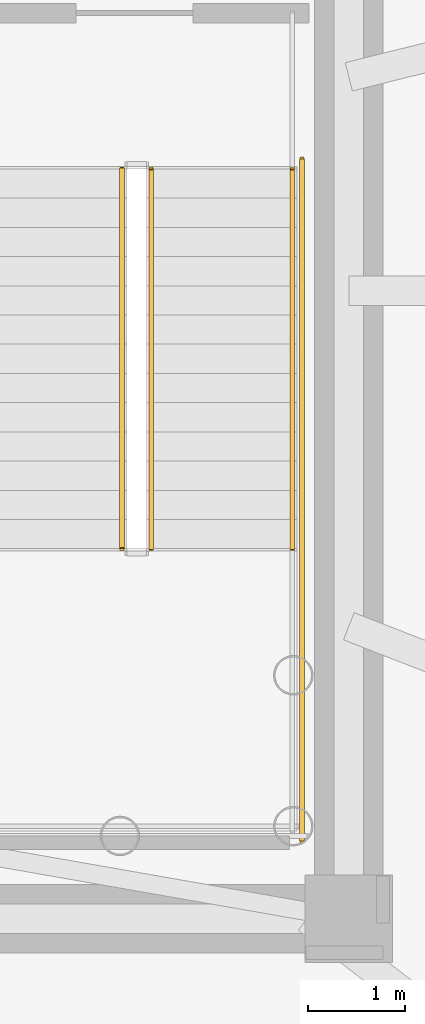
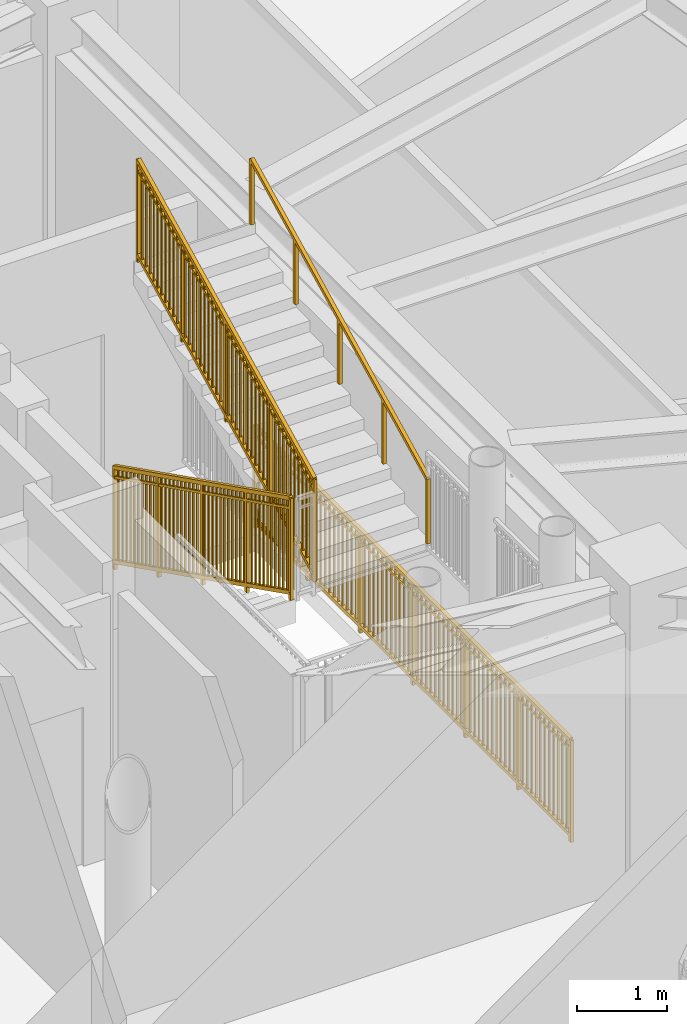
# One storey, part 21 of 24: 4 railings.
"""IFC4 building model written with IfcOpenShell, lengths in metres."""

from ifc_helpers import new_model, si_unit, direction, frame, origin, origin_2d, place, context, subcontext, project, spatial, rectangle, extrude, source, transform, mapped, material, type_object, element, save


model = new_model("IFC4")

# Units and contexts
model_context = context("Model", 3, precision=1e-05, world=origin(), true_north=direction((0.0, 1.0)))
body_context = subcontext(model_context, "Body", "Model", "MODEL_VIEW")
ifc_project = project(units=[si_unit("LENGTHUNIT", "METRE"), si_unit("AREAUNIT", "SQUARE_METRE"), si_unit("VOLUMEUNIT", "CUBIC_METRE"), si_unit("PLANEANGLEUNIT", "RADIAN"), si_unit("MASSUNIT", "GRAM", prefix="KILO")], contexts=[model_context])

# Site, building, storey
site_placement = place(None, origin())
site = spatial("IfcSite", under=ifc_project, at=site_placement, CompositionType="ELEMENT")
building_placement = place(site_placement, origin())
building = spatial("IfcBuilding", under=site, at=building_placement, Name="Linh Dai School and Residence Tower", CompositionType="ELEMENT")
storey_placement = place(building_placement, frame((0.0, 0.0, 355.199951171875)))
storey = spatial("IfcBuildingStorey", under=building, at=storey_placement, Name="L88", CompositionType="ELEMENT", Elevation=355.199951171875)

# Railings
ifc_material_1 = material(Name="Structural Steel S355JR", Category="steel")
railing_type_1 = type_object("IfcRailingType", Name="RL-ST-GUARD-1400", PredefinedType="GUARDRAIL", material=ifc_material_1)
shared_shape_1 = source(origin(), body_context, "Body", "SweptSolid", [
    extrude(rectangle(XDim=0.048095703125, YDim=0.048095703125, at=origin_2d()), frame((0.0, 0.0, 1.3759765625), z_axis=(0.0, -1.0, 0.0), x_axis=(1.0, 0.0, 0.0)), (0.0, 0.0, 1.0), 7.0),
    extrude(rectangle(XDim=0.048095703125, YDim=0.048095703125, at=origin_2d()), frame((0.0, 0.0, 0.10009765625), z_axis=(0.0, -1.0, 0.0), x_axis=(1.0, 0.0, 0.0)), (0.0, 0.0, 1.0), 7.0),
    extrude(rectangle(XDim=0.030029296875, YDim=0.030029296875, at=origin_2d()), frame((0.0, 0.0, 1.239990234375), z_axis=(0.0, -1.0, 0.0), x_axis=(1.0, 0.0, 0.0)), (0.0, 0.0, 1.0), 7.0),
    extrude(rectangle(XDim=0.02001953125, YDim=0.02001953125, at=origin_2d()), frame((0.0, -0.09716796875, 0.10009765625)), (0.0, 0.0, 1.0), 1.251708984375),
    extrude(rectangle(XDim=0.02001953125, YDim=0.02001953125, at=origin_2d()), frame((0.0, -0.1943359375, 0.10009765625)), (0.0, 0.0, 1.0), 1.251708984375),
    extrude(rectangle(XDim=0.02001953125, YDim=0.02001953125, at=origin_2d()), frame((0.0, -0.291748046875, 0.10009765625)), (0.0, 0.0, 1.0), 1.251708984375),
    extrude(rectangle(XDim=0.02001953125, YDim=0.02001953125, at=origin_2d()), frame((0.0, -0.388916015625, 0.10009765625)), (0.0, 0.0, 1.0), 1.251708984375),
    extrude(rectangle(XDim=0.02001953125, YDim=0.02001953125, at=origin_2d()), frame((0.0, -0.486083984375, 0.10009765625)), (0.0, 0.0, 1.0), 1.251708984375),
    extrude(rectangle(XDim=0.02001953125, YDim=0.02001953125, at=origin_2d()), frame((0.0, -0.583251953125, 0.10009765625)), (0.0, 0.0, 1.0), 1.251708984375),
    extrude(rectangle(XDim=0.02001953125, YDim=0.02001953125, at=origin_2d()), frame((0.0, -0.6806640625, 0.10009765625)), (0.0, 0.0, 1.0), 1.251708984375),
    extrude(rectangle(XDim=0.02001953125, YDim=0.02001953125, at=origin_2d()), frame((0.0, -0.77783203125, 0.10009765625)), (0.0, 0.0, 1.0), 1.251708984375),
    extrude(rectangle(XDim=0.02001953125, YDim=0.02001953125, at=origin_2d()), frame((0.0, -0.875, 0.10009765625)), (0.0, 0.0, 1.0), 1.251708984375),
    extrude(rectangle(XDim=0.02001953125, YDim=0.02001953125, at=origin_2d()), frame((0.0, -0.97216796875, 0.10009765625)), (0.0, 0.0, 1.0), 1.251708984375),
    extrude(rectangle(XDim=0.02001953125, YDim=0.02001953125, at=origin_2d()), frame((0.0, -1.0693359375, 0.10009765625)), (0.0, 0.0, 1.0), 1.251708984375),
    extrude(rectangle(XDim=0.02001953125, YDim=0.02001953125, at=origin_2d()), frame((0.0, -1.263916015625, 0.10009765625)), (0.0, 0.0, 1.0), 1.251708984375),
    extrude(rectangle(XDim=0.02001953125, YDim=0.02001953125, at=origin_2d()), frame((0.0, -1.361083984375, 0.10009765625)), (0.0, 0.0, 1.0), 1.251708984375),
    extrude(rectangle(XDim=0.02001953125, YDim=0.02001953125, at=origin_2d()), frame((0.0, -1.458251953125, 0.10009765625)), (0.0, 0.0, 1.0), 1.251708984375),
    extrude(rectangle(XDim=0.02001953125, YDim=0.02001953125, at=origin_2d()), frame((0.0, -1.5556640625, 0.10009765625)), (0.0, 0.0, 1.0), 1.251708984375),
    extrude(rectangle(XDim=0.02001953125, YDim=0.02001953125, at=origin_2d()), frame((0.0, -1.65283203125, 0.10009765625)), (0.0, 0.0, 1.0), 1.251708984375),
    extrude(rectangle(XDim=0.02001953125, YDim=0.02001953125, at=origin_2d()), frame((0.0, -1.75, 0.10009765625)), (0.0, 0.0, 1.0), 1.251708984375),
    extrude(rectangle(XDim=0.02001953125, YDim=0.02001953125, at=origin_2d()), frame((0.0, -1.84716796875, 0.10009765625)), (0.0, 0.0, 1.0), 1.251708984375),
    extrude(rectangle(XDim=0.02001953125, YDim=0.02001953125, at=origin_2d()), frame((0.0, -1.9443359375, 0.10009765625)), (0.0, 0.0, 1.0), 1.251708984375),
    extrude(rectangle(XDim=0.02001953125, YDim=0.02001953125, at=origin_2d()), frame((0.0, -2.041748046875, 0.10009765625)), (0.0, 0.0, 1.0), 1.251708984375),
    extrude(rectangle(XDim=0.02001953125, YDim=0.02001953125, at=origin_2d()), frame((0.0, -2.138916015625, 0.10009765625)), (0.0, 0.0, 1.0), 1.251708984375),
    extrude(rectangle(XDim=0.02001953125, YDim=0.02001953125, at=origin_2d()), frame((0.0, -2.236083984375, 0.10009765625)), (0.0, 0.0, 1.0), 1.251708984375),
    extrude(rectangle(XDim=0.02001953125, YDim=0.02001953125, at=origin_2d()), frame((0.0, -2.4306640625, 0.10009765625)), (0.0, 0.0, 1.0), 1.251708984375),
    extrude(rectangle(XDim=0.02001953125, YDim=0.02001953125, at=origin_2d()), frame((0.0, -2.52783203125, 0.10009765625)), (0.0, 0.0, 1.0), 1.251708984375),
    extrude(rectangle(XDim=0.02001953125, YDim=0.02001953125, at=origin_2d()), frame((0.0, -2.625, 0.10009765625)), (0.0, 0.0, 1.0), 1.251708984375),
    extrude(rectangle(XDim=0.02001953125, YDim=0.02001953125, at=origin_2d()), frame((0.0, -2.72216796875, 0.10009765625)), (0.0, 0.0, 1.0), 1.251708984375),
    extrude(rectangle(XDim=0.02001953125, YDim=0.02001953125, at=origin_2d()), frame((0.0, -2.8193359375, 0.10009765625)), (0.0, 0.0, 1.0), 1.251708984375),
    extrude(rectangle(XDim=0.02001953125, YDim=0.02001953125, at=origin_2d()), frame((0.0, -2.916748046875, 0.10009765625)), (0.0, 0.0, 1.0), 1.251708984375),
    extrude(rectangle(XDim=0.02001953125, YDim=0.02001953125, at=origin_2d()), frame((0.0, -3.013916015625, 0.10009765625)), (0.0, 0.0, 1.0), 1.251708984375),
    extrude(rectangle(XDim=0.02001953125, YDim=0.02001953125, at=origin_2d()), frame((0.0, -3.111083984375, 0.10009765625)), (0.0, 0.0, 1.0), 1.251708984375),
    extrude(rectangle(XDim=0.02001953125, YDim=0.02001953125, at=origin_2d()), frame((0.0, -3.208251953125, 0.10009765625)), (0.0, 0.0, 1.0), 1.251708984375),
    extrude(rectangle(XDim=0.02001953125, YDim=0.02001953125, at=origin_2d()), frame((0.0, -3.3056640625, 0.10009765625)), (0.0, 0.0, 1.0), 1.251708984375),
    extrude(rectangle(XDim=0.02001953125, YDim=0.02001953125, at=origin_2d()), frame((0.0, -3.40283203125, 0.10009765625)), (0.0, 0.0, 1.0), 1.251708984375),
    extrude(rectangle(XDim=0.02001953125, YDim=0.02001953125, at=origin_2d()), frame((0.0, -3.59716796875, 0.10009765625)), (0.0, 0.0, 1.0), 1.251708984375),
    extrude(rectangle(XDim=0.02001953125, YDim=0.02001953125, at=origin_2d()), frame((0.0, -3.6943359375, 0.10009765625)), (0.0, 0.0, 1.0), 1.251708984375),
    extrude(rectangle(XDim=0.02001953125, YDim=0.02001953125, at=origin_2d()), frame((0.0, -3.791748046875, 0.10009765625)), (0.0, 0.0, 1.0), 1.251708984375),
    extrude(rectangle(XDim=0.02001953125, YDim=0.02001953125, at=origin_2d()), frame((0.0, -3.888916015625, 0.10009765625)), (0.0, 0.0, 1.0), 1.251708984375),
    extrude(rectangle(XDim=0.02001953125, YDim=0.02001953125, at=origin_2d()), frame((0.0, -3.986083984375, 0.10009765625)), (0.0, 0.0, 1.0), 1.251708984375),
    extrude(rectangle(XDim=0.02001953125, YDim=0.02001953125, at=origin_2d()), frame((0.0, -4.083251953125, 0.10009765625)), (0.0, 0.0, 1.0), 1.251708984375),
    extrude(rectangle(XDim=0.02001953125, YDim=0.02001953125, at=origin_2d()), frame((0.0, -4.1806640625, 0.10009765625)), (0.0, 0.0, 1.0), 1.251708984375),
    extrude(rectangle(XDim=0.02001953125, YDim=0.02001953125, at=origin_2d()), frame((0.0, -4.27783203125, 0.10009765625)), (0.0, 0.0, 1.0), 1.251708984375),
    extrude(rectangle(XDim=0.02001953125, YDim=0.02001953125, at=origin_2d()), frame((0.0, -4.375, 0.10009765625)), (0.0, 0.0, 1.0), 1.251708984375),
    extrude(rectangle(XDim=0.02001953125, YDim=0.02001953125, at=origin_2d()), frame((0.0, -4.47216796875, 0.10009765625)), (0.0, 0.0, 1.0), 1.251708984375),
    extrude(rectangle(XDim=0.02001953125, YDim=0.02001953125, at=origin_2d()), frame((0.0, -4.5693359375, 0.10009765625)), (0.0, 0.0, 1.0), 1.251708984375),
    extrude(rectangle(XDim=0.02001953125, YDim=0.02001953125, at=origin_2d()), frame((0.0, -4.763916015625, 0.10009765625)), (0.0, 0.0, 1.0), 1.251708984375),
    extrude(rectangle(XDim=0.02001953125, YDim=0.02001953125, at=origin_2d()), frame((0.0, -4.861083984375, 0.10009765625)), (0.0, 0.0, 1.0), 1.251708984375),
    extrude(rectangle(XDim=0.02001953125, YDim=0.02001953125, at=origin_2d()), frame((0.0, -4.958251953125, 0.10009765625)), (0.0, 0.0, 1.0), 1.251708984375),
    extrude(rectangle(XDim=0.02001953125, YDim=0.02001953125, at=origin_2d()), frame((0.0, -5.0556640625, 0.10009765625)), (0.0, 0.0, 1.0), 1.251708984375),
    extrude(rectangle(XDim=0.02001953125, YDim=0.02001953125, at=origin_2d()), frame((0.0, -5.15283203125, 0.10009765625)), (0.0, 0.0, 1.0), 1.251708984375),
    extrude(rectangle(XDim=0.02001953125, YDim=0.02001953125, at=origin_2d()), frame((0.0, -5.25, 0.10009765625)), (0.0, 0.0, 1.0), 1.251708984375),
    extrude(rectangle(XDim=0.02001953125, YDim=0.02001953125, at=origin_2d()), frame((0.0, -5.34716796875, 0.10009765625)), (0.0, 0.0, 1.0), 1.251708984375),
    extrude(rectangle(XDim=0.02001953125, YDim=0.02001953125, at=origin_2d()), frame((0.0, -5.4443359375, 0.10009765625)), (0.0, 0.0, 1.0), 1.251708984375),
    extrude(rectangle(XDim=0.02001953125, YDim=0.02001953125, at=origin_2d()), frame((0.0, -5.541748046875, 0.10009765625)), (0.0, 0.0, 1.0), 1.251708984375),
    extrude(rectangle(XDim=0.02001953125, YDim=0.02001953125, at=origin_2d()), frame((0.0, -5.638916015625, 0.10009765625)), (0.0, 0.0, 1.0), 1.251708984375),
    extrude(rectangle(XDim=0.02001953125, YDim=0.02001953125, at=origin_2d()), frame((0.0, -5.736083984375, 0.10009765625)), (0.0, 0.0, 1.0), 1.251708984375),
    extrude(rectangle(XDim=0.02001953125, YDim=0.02001953125, at=origin_2d()), frame((0.0, -5.9306640625, 0.10009765625)), (0.0, 0.0, 1.0), 1.251708984375),
    extrude(rectangle(XDim=0.02001953125, YDim=0.02001953125, at=origin_2d()), frame((0.0, -6.02783203125, 0.10009765625)), (0.0, 0.0, 1.0), 1.251708984375),
    extrude(rectangle(XDim=0.02001953125, YDim=0.02001953125, at=origin_2d()), frame((0.0, -6.125, 0.10009765625)), (0.0, 0.0, 1.0), 1.251708984375),
    extrude(rectangle(XDim=0.02001953125, YDim=0.02001953125, at=origin_2d()), frame((0.0, -6.22216796875, 0.10009765625)), (0.0, 0.0, 1.0), 1.251708984375),
    extrude(rectangle(XDim=0.02001953125, YDim=0.02001953125, at=origin_2d()), frame((0.0, -6.3193359375, 0.10009765625)), (0.0, 0.0, 1.0), 1.251708984375),
    extrude(rectangle(XDim=0.02001953125, YDim=0.02001953125, at=origin_2d()), frame((0.0, -6.416748046875, 0.10009765625)), (0.0, 0.0, 1.0), 1.251708984375),
    extrude(rectangle(XDim=0.02001953125, YDim=0.02001953125, at=origin_2d()), frame((0.0, -6.513916015625, 0.10009765625)), (0.0, 0.0, 1.0), 1.251708984375),
    extrude(rectangle(XDim=0.02001953125, YDim=0.02001953125, at=origin_2d()), frame((0.0, -6.611083984375, 0.10009765625)), (0.0, 0.0, 1.0), 1.251708984375),
    extrude(rectangle(XDim=0.02001953125, YDim=0.02001953125, at=origin_2d()), frame((0.0, -6.708251953125, 0.10009765625)), (0.0, 0.0, 1.0), 1.251708984375),
    extrude(rectangle(XDim=0.02001953125, YDim=0.02001953125, at=origin_2d()), frame((0.0, -6.8056640625, 0.10009765625)), (0.0, 0.0, 1.0), 1.251708984375),
    extrude(rectangle(XDim=0.02001953125, YDim=0.02001953125, at=origin_2d()), frame((0.0, -6.90283203125, 0.10009765625)), (0.0, 0.0, 1.0), 1.251708984375),
    extrude(rectangle(XDim=0.0419921875, YDim=0.0419921875, at=origin_2d()), origin(), (0.0, 0.0, 1.0), 1.3759765625),
    extrude(rectangle(XDim=0.0419921875, YDim=0.0419921875, at=origin_2d()), frame((0.0, -1.166748046875, 0.0)), (0.0, 0.0, 1.0), 1.3759765625),
    extrude(rectangle(XDim=0.0419921875, YDim=0.0419921875, at=origin_2d()), frame((0.0, -2.333251953125, 0.0)), (0.0, 0.0, 1.0), 1.3759765625),
    extrude(rectangle(XDim=0.0419921875, YDim=0.0419921875, at=origin_2d()), frame((0.0, -3.5, 0.0)), (0.0, 0.0, 1.0), 1.3759765625),
    extrude(rectangle(XDim=0.0419921875, YDim=0.0419921875, at=origin_2d()), frame((0.0, -4.666748046875, 0.0)), (0.0, 0.0, 1.0), 1.3759765625),
    extrude(rectangle(XDim=0.0419921875, YDim=0.0419921875, at=origin_2d()), frame((0.0, -5.833251953125, 0.0)), (0.0, 0.0, 1.0), 1.3759765625),
    extrude(rectangle(XDim=0.0419921875, YDim=0.0419921875, at=origin_2d()), frame((0.0, -7.0, 0.0)), (0.0, 0.0, 1.0), 1.3759765625),
])
railing_1_placement = place(storey_placement, frame((44.3701171875, 28.35009765625, 0.0)))
element("IfcRailing", 1, at=railing_1_placement, inside=storey, type_object=railing_type_1, Name="L88 ST2 stair guard 11", PredefinedType="GUARDRAIL", context=body_context, shape_type="MappedRepresentation", body=[
    mapped(shared_shape_1, transform((0.0, 0.0, 0.0), x_axis=(1.0, 0.0, 0.0), y_axis=(0.0, 1.0, 0.0), z_axis=(0.0, 0.0, 1.0), scale=1.0)),
])
shared_shape_2 = source(origin(), body_context, "Body", "SweptSolid", [
    extrude(rectangle(XDim=0.048095703125, YDim=0.048095703125, at=origin_2d()), frame((0.0, 0.0, 1.3759765625), z_axis=(0.0, 0.894427191, 0.4472135955), x_axis=(-1.0, 0.0, 0.0)), (0.0, 0.0, 1.0), 4.360107421875),
    extrude(rectangle(XDim=0.048095703125, YDim=0.048095703125, at=origin_2d()), frame((0.0, 0.0, 0.10009765625), z_axis=(0.0, 0.894427191, 0.4472135955), x_axis=(-1.0, 0.0, 0.0)), (0.0, 0.0, 1.0), 4.360107421875),
    extrude(rectangle(XDim=0.030029296875, YDim=0.030029296875, at=origin_2d()), frame((0.0, 0.0, 1.239990234375), z_axis=(0.0, 0.894427191, 0.4472135955), x_axis=(-1.0, 0.0, 0.0)), (0.0, 0.0, 1.0), 4.360107421875),
    extrude(rectangle(XDim=0.02001953125, YDim=0.02001953125, at=origin_2d()), frame((0.0, 0.086669921875, 0.143310546875)), (0.0, 0.0, 1.0), 1.251708984375),
    extrude(rectangle(XDim=0.02001953125, YDim=0.02001953125, at=origin_2d()), frame((0.0, 0.17333984375, 0.186767578125)), (0.0, 0.0, 1.0), 1.251708984375),
    extrude(rectangle(XDim=0.02001953125, YDim=0.02001953125, at=origin_2d()), frame((0.0, 0.260009765625, 0.22998046875)), (0.0, 0.0, 1.0), 1.251708984375),
    extrude(rectangle(XDim=0.02001953125, YDim=0.02001953125, at=origin_2d()), frame((0.0, 0.3466796875, 0.2734375)), (0.0, 0.0, 1.0), 1.251708984375),
    extrude(rectangle(XDim=0.02001953125, YDim=0.02001953125, at=origin_2d()), frame((0.0, 0.433349609375, 0.316650390625)), (0.0, 0.0, 1.0), 1.251708984375),
    extrude(rectangle(XDim=0.02001953125, YDim=0.02001953125, at=origin_2d()), frame((0.0, 0.52001953125, 0.360107421875)), (0.0, 0.0, 1.0), 1.251708984375),
    extrude(rectangle(XDim=0.02001953125, YDim=0.02001953125, at=origin_2d()), frame((0.0, 0.606689453125, 0.4033203125)), (0.0, 0.0, 1.0), 1.251708984375),
    extrude(rectangle(XDim=0.02001953125, YDim=0.02001953125, at=origin_2d()), frame((0.0, 0.693359375, 0.44677734375)), (0.0, 0.0, 1.0), 1.251708984375),
    extrude(rectangle(XDim=0.02001953125, YDim=0.02001953125, at=origin_2d()), frame((0.0, 0.780029296875, 0.489990234375)), (0.0, 0.0, 1.0), 1.251708984375),
    extrude(rectangle(XDim=0.02001953125, YDim=0.02001953125, at=origin_2d()), frame((0.0, 0.86669921875, 0.533447265625)), (0.0, 0.0, 1.0), 1.251708984375),
    extrude(rectangle(XDim=0.02001953125, YDim=0.02001953125, at=origin_2d()), frame((0.0, 1.0400390625, 0.6201171875)), (0.0, 0.0, 1.0), 1.251708984375),
    extrude(rectangle(XDim=0.02001953125, YDim=0.02001953125, at=origin_2d()), frame((0.0, 1.126708984375, 0.663330078125)), (0.0, 0.0, 1.0), 1.251708984375),
    extrude(rectangle(XDim=0.02001953125, YDim=0.02001953125, at=origin_2d()), frame((0.0, 1.21337890625, 0.706787109375)), (0.0, 0.0, 1.0), 1.251708984375),
    extrude(rectangle(XDim=0.02001953125, YDim=0.02001953125, at=origin_2d()), frame((0.0, 1.300048828125, 0.75)), (0.0, 0.0, 1.0), 1.251708984375),
    extrude(rectangle(XDim=0.02001953125, YDim=0.02001953125, at=origin_2d()), frame((0.0, 1.38671875, 0.79345703125)), (0.0, 0.0, 1.0), 1.251708984375),
    extrude(rectangle(XDim=0.02001953125, YDim=0.02001953125, at=origin_2d()), frame((0.0, 1.473388671875, 0.836669921875)), (0.0, 0.0, 1.0), 1.251708984375),
    extrude(rectangle(XDim=0.02001953125, YDim=0.02001953125, at=origin_2d()), frame((0.0, 1.56005859375, 0.880126953125)), (0.0, 0.0, 1.0), 1.251708984375),
    extrude(rectangle(XDim=0.02001953125, YDim=0.02001953125, at=origin_2d()), frame((0.0, 1.646728515625, 0.92333984375)), (0.0, 0.0, 1.0), 1.251708984375),
    extrude(rectangle(XDim=0.02001953125, YDim=0.02001953125, at=origin_2d()), frame((0.0, 1.7333984375, 0.966796875)), (0.0, 0.0, 1.0), 1.251708984375),
    extrude(rectangle(XDim=0.02001953125, YDim=0.02001953125, at=origin_2d()), frame((0.0, 1.820068359375, 1.010009765625)), (0.0, 0.0, 1.0), 1.251708984375),
    extrude(rectangle(XDim=0.02001953125, YDim=0.02001953125, at=origin_2d()), frame((0.0, 1.90673828125, 1.053466796875)), (0.0, 0.0, 1.0), 1.251708984375),
    extrude(rectangle(XDim=0.02001953125, YDim=0.02001953125, at=origin_2d()), frame((0.0, 1.9931640625, 1.0966796875)), (0.0, 0.0, 1.0), 1.251708984375),
    extrude(rectangle(XDim=0.02001953125, YDim=0.02001953125, at=origin_2d()), frame((0.0, 2.079833984375, 1.14013671875)), (0.0, 0.0, 1.0), 1.251708984375),
    extrude(rectangle(XDim=0.02001953125, YDim=0.02001953125, at=origin_2d()), frame((0.0, 2.16650390625, 1.183349609375)), (0.0, 0.0, 1.0), 1.251708984375),
    extrude(rectangle(XDim=0.02001953125, YDim=0.02001953125, at=origin_2d()), frame((0.0, 2.253173828125, 1.226806640625)), (0.0, 0.0, 1.0), 1.251708984375),
    extrude(rectangle(XDim=0.02001953125, YDim=0.02001953125, at=origin_2d()), frame((0.0, 2.33984375, 1.27001953125)), (0.0, 0.0, 1.0), 1.251708984375),
    extrude(rectangle(XDim=0.02001953125, YDim=0.02001953125, at=origin_2d()), frame((0.0, 2.426513671875, 1.3134765625)), (0.0, 0.0, 1.0), 1.251708984375),
    extrude(rectangle(XDim=0.02001953125, YDim=0.02001953125, at=origin_2d()), frame((0.0, 2.51318359375, 1.356689453125)), (0.0, 0.0, 1.0), 1.251708984375),
    extrude(rectangle(XDim=0.02001953125, YDim=0.02001953125, at=origin_2d()), frame((0.0, 2.599853515625, 1.400146484375)), (0.0, 0.0, 1.0), 1.251708984375),
    extrude(rectangle(XDim=0.02001953125, YDim=0.02001953125, at=origin_2d()), frame((0.0, 2.6865234375, 1.443359375)), (0.0, 0.0, 1.0), 1.251708984375),
    extrude(rectangle(XDim=0.02001953125, YDim=0.02001953125, at=origin_2d()), frame((0.0, 2.773193359375, 1.48681640625)), (0.0, 0.0, 1.0), 1.251708984375),
    extrude(rectangle(XDim=0.02001953125, YDim=0.02001953125, at=origin_2d()), frame((0.0, 2.85986328125, 1.530029296875)), (0.0, 0.0, 1.0), 1.251708984375),
    extrude(rectangle(XDim=0.02001953125, YDim=0.02001953125, at=origin_2d()), frame((0.0, 3.033203125, 1.61669921875)), (0.0, 0.0, 1.0), 1.251708984375),
    extrude(rectangle(XDim=0.02001953125, YDim=0.02001953125, at=origin_2d()), frame((0.0, 3.119873046875, 1.66015625)), (0.0, 0.0, 1.0), 1.251708984375),
    extrude(rectangle(XDim=0.02001953125, YDim=0.02001953125, at=origin_2d()), frame((0.0, 3.20654296875, 1.703369140625)), (0.0, 0.0, 1.0), 1.251708984375),
    extrude(rectangle(XDim=0.02001953125, YDim=0.02001953125, at=origin_2d()), frame((0.0, 3.293212890625, 1.746826171875)), (0.0, 0.0, 1.0), 1.251708984375),
    extrude(rectangle(XDim=0.02001953125, YDim=0.02001953125, at=origin_2d()), frame((0.0, 3.3798828125, 1.7900390625)), (0.0, 0.0, 1.0), 1.251708984375),
    extrude(rectangle(XDim=0.02001953125, YDim=0.02001953125, at=origin_2d()), frame((0.0, 3.466552734375, 1.83349609375)), (0.0, 0.0, 1.0), 1.251708984375),
    extrude(rectangle(XDim=0.02001953125, YDim=0.02001953125, at=origin_2d()), frame((0.0, 3.55322265625, 1.876708984375)), (0.0, 0.0, 1.0), 1.251708984375),
    extrude(rectangle(XDim=0.02001953125, YDim=0.02001953125, at=origin_2d()), frame((0.0, 3.639892578125, 1.920166015625)), (0.0, 0.0, 1.0), 1.251708984375),
    extrude(rectangle(XDim=0.02001953125, YDim=0.02001953125, at=origin_2d()), frame((0.0, 3.7265625, 1.96337890625)), (0.0, 0.0, 1.0), 1.251708984375),
    extrude(rectangle(XDim=0.02001953125, YDim=0.02001953125, at=origin_2d()), frame((0.0, 3.813232421875, 2.0068359375)), (0.0, 0.0, 1.0), 1.251708984375),
    extrude(rectangle(XDim=0.0419921875, YDim=0.0419921875, at=origin_2d()), origin(), (0.0, 0.0, 1.0), 1.3759765625),
    extrude(rectangle(XDim=0.0419921875, YDim=0.0419921875, at=origin_2d()), frame((0.0, 0.97509765625, 0.487548828125)), (0.0, 0.0, 1.0), 1.3759765625),
    extrude(rectangle(XDim=0.0419921875, YDim=0.0419921875, at=origin_2d()), frame((0.0, 1.949951171875, 0.97509765625)), (0.0, 0.0, 1.0), 1.3759765625),
    extrude(rectangle(XDim=0.0419921875, YDim=0.0419921875, at=origin_2d()), frame((0.0, 2.9248046875, 1.46240234375)), (0.0, 0.0, 1.0), 1.3759765625),
    extrude(rectangle(XDim=0.0419921875, YDim=0.0419921875, at=origin_2d()), frame((0.0, 3.89990234375, 1.949951171875)), (0.0, 0.0, 1.0), 1.3759765625),
])
railing_2_placement = place(storey_placement, frame((42.820068359375, 24.35009765625, 2.25)))
element("IfcRailing", 2, at=railing_2_placement, inside=storey, type_object=railing_type_1, Name="L88 ST2 stair guard 6", PredefinedType="GUARDRAIL", context=body_context, shape_type="MappedRepresentation", body=[
    mapped(shared_shape_2, transform((0.0, 0.0, 0.0), x_axis=(1.0, 0.0, 0.0), y_axis=(0.0, 1.0, 0.0), z_axis=(0.0, 0.0, 1.0), scale=1.0)),
])
ifc_material_2 = material(Name="Brushed Stainless Steel Handrail", Category="steel")
railing_type_2 = type_object("IfcRailingType", Name="RL-ST-HANDRAIL-900", PredefinedType="HANDRAIL", material=ifc_material_2)
shared_shape_3 = source(origin(), body_context, "Body", "SweptSolid", [
    extrude(rectangle(XDim=0.048095703125, YDim=0.048095703125, at=origin_2d()), frame((0.0, 0.0, 0.8759765625), z_axis=(0.0, 0.894427191, 0.4472135955), x_axis=(-1.0, 0.0, 0.0)), (0.0, 0.0, 1.0), 4.360107421875),
    extrude(rectangle(XDim=0.0419921875, YDim=0.0419921875, at=origin_2d()), origin(), (0.0, 0.0, 1.0), 0.8759765625),
    extrude(rectangle(XDim=0.0419921875, YDim=0.0419921875, at=origin_2d()), frame((0.0, 0.97509765625, 0.487548828125)), (0.0, 0.0, 1.0), 0.8759765625),
    extrude(rectangle(XDim=0.0419921875, YDim=0.0419921875, at=origin_2d()), frame((0.0, 1.949951171875, 0.97509765625)), (0.0, 0.0, 1.0), 0.8759765625),
    extrude(rectangle(XDim=0.0419921875, YDim=0.0419921875, at=origin_2d()), frame((0.0, 2.9248046875, 1.46240234375)), (0.0, 0.0, 1.0), 0.8759765625),
    extrude(rectangle(XDim=0.0419921875, YDim=0.0419921875, at=origin_2d()), frame((0.0, 3.89990234375, 1.949951171875)), (0.0, 0.0, 1.0), 0.8759765625),
])
railing_3_placement = place(storey_placement, frame((44.27001953125, 24.35009765625, 2.25)))
element("IfcRailing", 3, at=railing_3_placement, inside=storey, type_object=railing_type_2, Name="L88 ST2 stair handrail 2", PredefinedType="HANDRAIL", context=body_context, shape_type="MappedRepresentation", body=[
    mapped(shared_shape_3, transform((0.0, 0.0, 0.0), x_axis=(1.0, 0.0, 0.0), y_axis=(0.0, 1.0, 0.0), z_axis=(0.0, 0.0, 1.0), scale=1.0)),
])
shared_shape_4 = source(origin(), body_context, "Body", "SweptSolid", [
    extrude(rectangle(XDim=0.048095703125, YDim=0.048095703125, at=origin_2d()), frame((0.0, 0.0, 1.3759765625), z_axis=(0.0, -0.894427191, 0.4472135955), x_axis=(1.0, 0.0, 0.0)), (0.0, 0.0, 1.0), 4.360107421875),
    extrude(rectangle(XDim=0.048095703125, YDim=0.048095703125, at=origin_2d()), frame((0.0, 0.0, 0.10009765625), z_axis=(0.0, -0.894427191, 0.4472135955), x_axis=(1.0, 0.0, 0.0)), (0.0, 0.0, 1.0), 4.360107421875),
    extrude(rectangle(XDim=0.030029296875, YDim=0.030029296875, at=origin_2d()), frame((0.0, 0.0, 1.239990234375), z_axis=(0.0, -0.894427191, 0.4472135955), x_axis=(1.0, 0.0, 0.0)), (0.0, 0.0, 1.0), 4.360107421875),
    extrude(rectangle(XDim=0.02001953125, YDim=0.02001953125, at=origin_2d()), frame((0.0, -0.086669921875, 0.143310546875)), (0.0, 0.0, 1.0), 1.251708984375),
    extrude(rectangle(XDim=0.02001953125, YDim=0.02001953125, at=origin_2d()), frame((0.0, -0.17333984375, 0.186767578125)), (0.0, 0.0, 1.0), 1.251708984375),
    extrude(rectangle(XDim=0.02001953125, YDim=0.02001953125, at=origin_2d()), frame((0.0, -0.260009765625, 0.22998046875)), (0.0, 0.0, 1.0), 1.251708984375),
    extrude(rectangle(XDim=0.02001953125, YDim=0.02001953125, at=origin_2d()), frame((0.0, -0.3466796875, 0.2734375)), (0.0, 0.0, 1.0), 1.251708984375),
    extrude(rectangle(XDim=0.02001953125, YDim=0.02001953125, at=origin_2d()), frame((0.0, -0.433349609375, 0.316650390625)), (0.0, 0.0, 1.0), 1.251708984375),
    extrude(rectangle(XDim=0.02001953125, YDim=0.02001953125, at=origin_2d()), frame((0.0, -0.52001953125, 0.360107421875)), (0.0, 0.0, 1.0), 1.251708984375),
    extrude(rectangle(XDim=0.02001953125, YDim=0.02001953125, at=origin_2d()), frame((0.0, -0.606689453125, 0.4033203125)), (0.0, 0.0, 1.0), 1.251708984375),
    extrude(rectangle(XDim=0.02001953125, YDim=0.02001953125, at=origin_2d()), frame((0.0, -0.693359375, 0.44677734375)), (0.0, 0.0, 1.0), 1.251708984375),
    extrude(rectangle(XDim=0.02001953125, YDim=0.02001953125, at=origin_2d()), frame((0.0, -0.780029296875, 0.489990234375)), (0.0, 0.0, 1.0), 1.251708984375),
    extrude(rectangle(XDim=0.02001953125, YDim=0.02001953125, at=origin_2d()), frame((0.0, -0.86669921875, 0.533447265625)), (0.0, 0.0, 1.0), 1.251708984375),
    extrude(rectangle(XDim=0.02001953125, YDim=0.02001953125, at=origin_2d()), frame((0.0, -1.0400390625, 0.6201171875)), (0.0, 0.0, 1.0), 1.251708984375),
    extrude(rectangle(XDim=0.02001953125, YDim=0.02001953125, at=origin_2d()), frame((0.0, -1.126708984375, 0.663330078125)), (0.0, 0.0, 1.0), 1.251708984375),
    extrude(rectangle(XDim=0.02001953125, YDim=0.02001953125, at=origin_2d()), frame((0.0, -1.21337890625, 0.706787109375)), (0.0, 0.0, 1.0), 1.251708984375),
    extrude(rectangle(XDim=0.02001953125, YDim=0.02001953125, at=origin_2d()), frame((0.0, -1.300048828125, 0.75)), (0.0, 0.0, 1.0), 1.251708984375),
    extrude(rectangle(XDim=0.02001953125, YDim=0.02001953125, at=origin_2d()), frame((0.0, -1.38671875, 0.79345703125)), (0.0, 0.0, 1.0), 1.251708984375),
    extrude(rectangle(XDim=0.02001953125, YDim=0.02001953125, at=origin_2d()), frame((0.0, -1.473388671875, 0.836669921875)), (0.0, 0.0, 1.0), 1.251708984375),
    extrude(rectangle(XDim=0.02001953125, YDim=0.02001953125, at=origin_2d()), frame((0.0, -1.56005859375, 0.880126953125)), (0.0, 0.0, 1.0), 1.251708984375),
    extrude(rectangle(XDim=0.02001953125, YDim=0.02001953125, at=origin_2d()), frame((0.0, -1.646728515625, 0.92333984375)), (0.0, 0.0, 1.0), 1.251708984375),
    extrude(rectangle(XDim=0.02001953125, YDim=0.02001953125, at=origin_2d()), frame((0.0, -1.7333984375, 0.966796875)), (0.0, 0.0, 1.0), 1.251708984375),
    extrude(rectangle(XDim=0.02001953125, YDim=0.02001953125, at=origin_2d()), frame((0.0, -1.820068359375, 1.010009765625)), (0.0, 0.0, 1.0), 1.251708984375),
    extrude(rectangle(XDim=0.02001953125, YDim=0.02001953125, at=origin_2d()), frame((0.0, -1.90673828125, 1.053466796875)), (0.0, 0.0, 1.0), 1.251708984375),
    extrude(rectangle(XDim=0.02001953125, YDim=0.02001953125, at=origin_2d()), frame((0.0, -1.9931640625, 1.0966796875)), (0.0, 0.0, 1.0), 1.251708984375),
    extrude(rectangle(XDim=0.02001953125, YDim=0.02001953125, at=origin_2d()), frame((0.0, -2.079833984375, 1.14013671875)), (0.0, 0.0, 1.0), 1.251708984375),
    extrude(rectangle(XDim=0.02001953125, YDim=0.02001953125, at=origin_2d()), frame((0.0, -2.16650390625, 1.183349609375)), (0.0, 0.0, 1.0), 1.251708984375),
    extrude(rectangle(XDim=0.02001953125, YDim=0.02001953125, at=origin_2d()), frame((0.0, -2.253173828125, 1.226806640625)), (0.0, 0.0, 1.0), 1.251708984375),
    extrude(rectangle(XDim=0.02001953125, YDim=0.02001953125, at=origin_2d()), frame((0.0, -2.33984375, 1.27001953125)), (0.0, 0.0, 1.0), 1.251708984375),
    extrude(rectangle(XDim=0.02001953125, YDim=0.02001953125, at=origin_2d()), frame((0.0, -2.426513671875, 1.3134765625)), (0.0, 0.0, 1.0), 1.251708984375),
    extrude(rectangle(XDim=0.02001953125, YDim=0.02001953125, at=origin_2d()), frame((0.0, -2.51318359375, 1.356689453125)), (0.0, 0.0, 1.0), 1.251708984375),
    extrude(rectangle(XDim=0.02001953125, YDim=0.02001953125, at=origin_2d()), frame((0.0, -2.599853515625, 1.400146484375)), (0.0, 0.0, 1.0), 1.251708984375),
    extrude(rectangle(XDim=0.02001953125, YDim=0.02001953125, at=origin_2d()), frame((0.0, -2.6865234375, 1.443359375)), (0.0, 0.0, 1.0), 1.251708984375),
    extrude(rectangle(XDim=0.02001953125, YDim=0.02001953125, at=origin_2d()), frame((0.0, -2.773193359375, 1.48681640625)), (0.0, 0.0, 1.0), 1.251708984375),
    extrude(rectangle(XDim=0.02001953125, YDim=0.02001953125, at=origin_2d()), frame((0.0, -2.85986328125, 1.530029296875)), (0.0, 0.0, 1.0), 1.251708984375),
    extrude(rectangle(XDim=0.02001953125, YDim=0.02001953125, at=origin_2d()), frame((0.0, -3.033203125, 1.61669921875)), (0.0, 0.0, 1.0), 1.251708984375),
    extrude(rectangle(XDim=0.02001953125, YDim=0.02001953125, at=origin_2d()), frame((0.0, -3.119873046875, 1.66015625)), (0.0, 0.0, 1.0), 1.251708984375),
    extrude(rectangle(XDim=0.02001953125, YDim=0.02001953125, at=origin_2d()), frame((0.0, -3.20654296875, 1.703369140625)), (0.0, 0.0, 1.0), 1.251708984375),
    extrude(rectangle(XDim=0.02001953125, YDim=0.02001953125, at=origin_2d()), frame((0.0, -3.293212890625, 1.746826171875)), (0.0, 0.0, 1.0), 1.251708984375),
    extrude(rectangle(XDim=0.02001953125, YDim=0.02001953125, at=origin_2d()), frame((0.0, -3.3798828125, 1.7900390625)), (0.0, 0.0, 1.0), 1.251708984375),
    extrude(rectangle(XDim=0.02001953125, YDim=0.02001953125, at=origin_2d()), frame((0.0, -3.466552734375, 1.83349609375)), (0.0, 0.0, 1.0), 1.251708984375),
    extrude(rectangle(XDim=0.02001953125, YDim=0.02001953125, at=origin_2d()), frame((0.0, -3.55322265625, 1.876708984375)), (0.0, 0.0, 1.0), 1.251708984375),
    extrude(rectangle(XDim=0.02001953125, YDim=0.02001953125, at=origin_2d()), frame((0.0, -3.639892578125, 1.920166015625)), (0.0, 0.0, 1.0), 1.251708984375),
    extrude(rectangle(XDim=0.02001953125, YDim=0.02001953125, at=origin_2d()), frame((0.0, -3.7265625, 1.96337890625)), (0.0, 0.0, 1.0), 1.251708984375),
    extrude(rectangle(XDim=0.02001953125, YDim=0.02001953125, at=origin_2d()), frame((0.0, -3.813232421875, 2.0068359375)), (0.0, 0.0, 1.0), 1.251708984375),
    extrude(rectangle(XDim=0.0419921875, YDim=0.0419921875, at=origin_2d()), origin(), (0.0, 0.0, 1.0), 1.3759765625),
    extrude(rectangle(XDim=0.0419921875, YDim=0.0419921875, at=origin_2d()), frame((0.0, -0.97509765625, 0.487548828125)), (0.0, 0.0, 1.0), 1.3759765625),
    extrude(rectangle(XDim=0.0419921875, YDim=0.0419921875, at=origin_2d()), frame((0.0, -1.949951171875, 0.97509765625)), (0.0, 0.0, 1.0), 1.3759765625),
    extrude(rectangle(XDim=0.0419921875, YDim=0.0419921875, at=origin_2d()), frame((0.0, -2.9248046875, 1.46240234375)), (0.0, 0.0, 1.0), 1.3759765625),
    extrude(rectangle(XDim=0.0419921875, YDim=0.0419921875, at=origin_2d()), frame((0.0, -3.89990234375, 1.949951171875)), (0.0, 0.0, 1.0), 1.3759765625),
])
railing_4_placement = place(storey_placement, frame((42.52001953125, 28.25, 0.150146484375)))
element("IfcRailing", 4, at=railing_4_placement, inside=storey, type_object=railing_type_1, Name="L88 ST2 stair guard 1", PredefinedType="GUARDRAIL", context=body_context, shape_type="MappedRepresentation", body=[
    mapped(shared_shape_4, transform((0.0, 0.0, 0.0), x_axis=(1.0, 0.0, 0.0), y_axis=(0.0, 1.0, 0.0), z_axis=(0.0, 0.0, 1.0), scale=1.0)),
])

save(model, "model.ifc")
